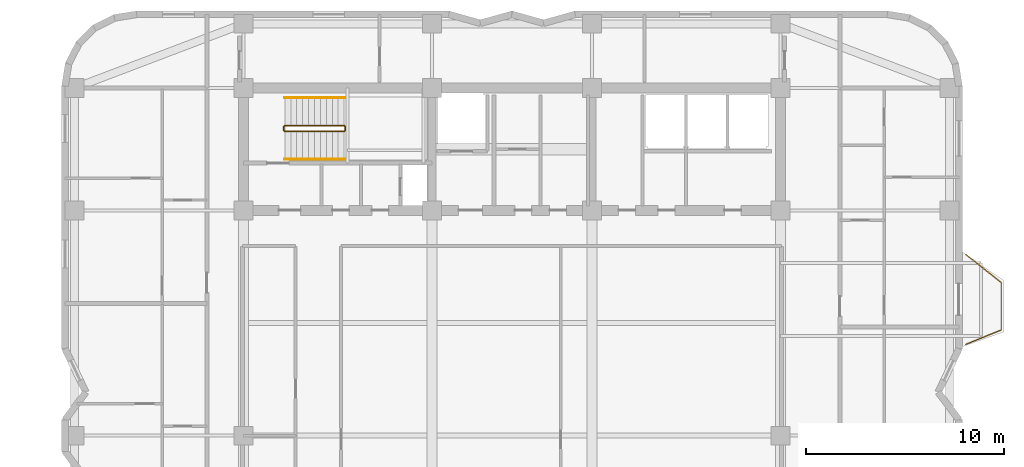
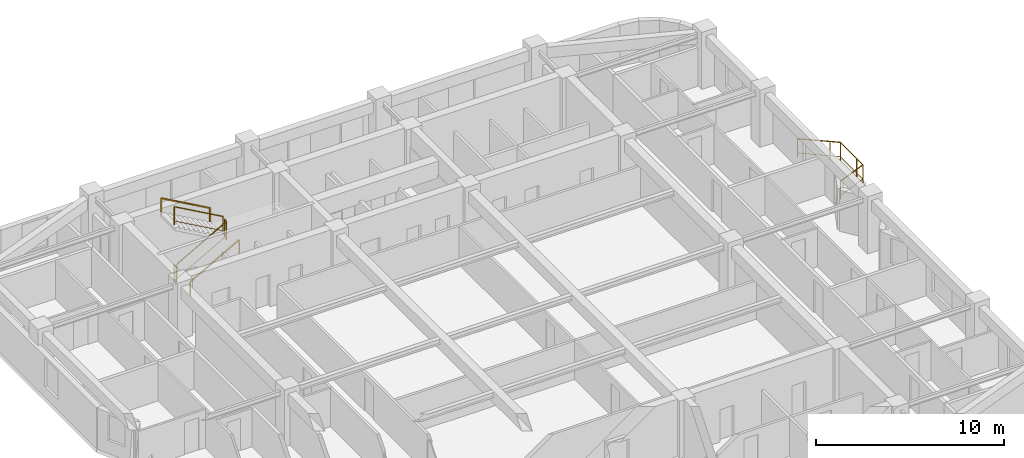
# One storey, part 9 of 9: 7 railings.
"""IFC4 building model written with IfcOpenShell, lengths in metres."""

from ifc_helpers import new_model, si_unit, direction, frame, origin, origin_2d, place, context, subcontext, project, spatial, rectangle, extrude, material, type_object, element, save


model = new_model("IFC4")

# Units and contexts
model_context = context("Model", 3, precision=1e-05, world=origin(), true_north=direction((0.0, 1.0)))
body_context = subcontext(model_context, "Body", "Model", "MODEL_VIEW")
ifc_project = project(units=[si_unit("LENGTHUNIT", "METRE"), si_unit("AREAUNIT", "SQUARE_METRE"), si_unit("VOLUMEUNIT", "CUBIC_METRE"), si_unit("PLANEANGLEUNIT", "RADIAN"), si_unit("MASSUNIT", "GRAM", prefix="KILO")], contexts=[model_context])

# Site, building, storey
site_placement = place(None, origin())
site = spatial("IfcSite", under=ifc_project, at=site_placement, CompositionType="ELEMENT")
building_placement = place(site_placement, origin())
building = spatial("IfcBuilding", under=site, at=building_placement, Name="Svetorya Sky Lyceum", CompositionType="ELEMENT")
storey_placement = place(building_placement, frame((0.0, 0.0, 192.199951171875)))
storey = spatial("IfcBuildingStorey", under=building, at=storey_placement, Name="L48", CompositionType="ELEMENT", Elevation=192.199951171875)

# Railings
ifc_material_1 = material(Name="Laminated safety glass and stainless AISI 316", Category="glass")
railing_type_1 = type_object("IfcRailingType", Name="RL-BAL-1200", PredefinedType="BALUSTRADE", material=ifc_material_1)
railing_1_placement = place(storey_placement, frame((62.169921875, 37.3798828125, 0.0)))
element("IfcRailing", 1, at=railing_1_placement, inside=storey, type_object=railing_type_1, Name="L48 Balcony Balustrade BAL-E1", PredefinedType="BALUSTRADE", context=body_context, shape_type="SweptSolid", body=[
    extrude(rectangle(XDim=0.048095703125, YDim=0.048095703125, at=origin_2d()), frame((0.0, 0.0, 1.17578125), z_axis=(0.783008919264, -0.622010476079, 0.0), x_axis=(0.622010476079, 0.783008919264, 0.0)), (0.0, 0.0, 1.0), 2.298828125),
    extrude(rectangle(XDim=0.02392578125, YDim=0.02392578125, at=origin_2d()), frame((0.0, 0.0, 0.25), z_axis=(0.783008919264, -0.622010476079, 0.0), x_axis=(0.622010476079, 0.783008919264, 0.0)), (0.0, 0.0, 1.0), 2.298828125),
    extrude(rectangle(XDim=0.048095703125, YDim=0.048095703125, at=origin_2d()), frame((1.800048828125, -1.429931640625, 1.17578125), z_axis=(0.0, -1.0, 0.0), x_axis=(1.0, 0.0, 0.0)), (0.0, 0.0, 1.0), 2.39990234375),
    extrude(rectangle(XDim=0.02392578125, YDim=0.02392578125, at=origin_2d()), frame((1.800048828125, -1.429931640625, 0.25), z_axis=(0.0, -1.0, 0.0), x_axis=(1.0, 0.0, 0.0)), (0.0, 0.0, 1.0), 2.39990234375),
    extrude(rectangle(XDim=0.048095703125, YDim=0.048095703125, at=origin_2d()), frame((1.800048828125, -3.829833984375, 1.17578125), z_axis=(-0.926697865975, -0.375807218129, 0.0), x_axis=(0.375807218129, -0.926697865975, 0.0)), (0.0, 0.0, 1.0), 1.9423828125),
    extrude(rectangle(XDim=0.02392578125, YDim=0.02392578125, at=origin_2d()), frame((1.800048828125, -3.829833984375, 0.25), z_axis=(-0.926697865975, -0.375807218129, 0.0), x_axis=(0.375807218129, -0.926697865975, 0.0)), (0.0, 0.0, 1.0), 1.9423828125),
    extrude(rectangle(XDim=0.0419921875, YDim=0.0419921875, at=origin_2d()), origin(), (0.0, 0.0, 1.0), 1.15185546875),
    extrude(rectangle(XDim=0.0419921875, YDim=0.0419921875, at=origin_2d()), frame((1.370361328125, -1.088623046875, 0.0)), (0.0, 0.0, 1.0), 1.15185546875),
    extrude(rectangle(XDim=0.0419921875, YDim=0.0419921875, at=origin_2d()), frame((1.800048828125, -1.429931640625, 0.0)), (0.0, 0.0, 1.0), 1.15185546875),
    extrude(rectangle(XDim=0.0419921875, YDim=0.0419921875, at=origin_2d()), frame((1.800048828125, -3.179931640625, 0.0)), (0.0, 0.0, 1.0), 1.15185546875),
    extrude(rectangle(XDim=0.0419921875, YDim=0.0419921875, at=origin_2d()), frame((1.800048828125, -3.829833984375, 0.0)), (0.0, 0.0, 1.0), 1.15185546875),
    extrude(rectangle(XDim=0.0419921875, YDim=0.0419921875, at=origin_2d()), frame((0.0, -4.559814453125, 0.0)), (0.0, 0.0, 1.0), 1.15185546875),
])
ifc_material_2 = material(Name="Painted galvanized stair well guard")
railing_type_2 = type_object("IfcRailingType", Name="RL-STR-GUARD-1200", PredefinedType="GUARDRAIL", material=ifc_material_2)
railing_2_placement = place(storey_placement, frame((27.699951171875, 43.60009765625, 0.168212890625)))
element("IfcRailing", 2, at=railing_2_placement, inside=storey, type_object=railing_type_2, Name="L48 ST-N stair guard 1", PredefinedType="GUARDRAIL", context=body_context, shape_type="SweptSolid", body=[
    extrude(rectangle(XDim=0.048095703125, YDim=0.048095703125, at=origin_2d()), frame((0.0, 0.0, 1.17578125), z_axis=(0.872272294576, 0.0, 0.489020494575), x_axis=(0.0, 1.0, 0.0)), (0.0, 0.0, 1.0), 3.439208984375),
    extrude(rectangle(XDim=0.02392578125, YDim=0.02392578125, at=origin_2d()), frame((0.0, 0.0, 0.25), z_axis=(0.872272294576, 0.0, 0.489020494575), x_axis=(0.0, 1.0, 0.0)), (0.0, 0.0, 1.0), 3.439208984375),
    extrude(rectangle(XDim=0.0419921875, YDim=0.0419921875, at=origin_2d()), origin(), (0.0, 0.0, 1.0), 1.15185546875),
    extrude(rectangle(XDim=0.0419921875, YDim=0.0419921875, at=origin_2d()), frame((3.0, 0.0, 1.681884765625)), (0.0, 0.0, 1.0), 1.15185546875),
])
railing_3_placement = place(storey_placement, frame((30.75, 43.64990234375, 1.85009765625)))
element("IfcRailing", 3, at=railing_3_placement, inside=storey, type_object=railing_type_2, Name="L48 ST-N stair guard 2", PredefinedType="GUARDRAIL", context=body_context, shape_type="SweptSolid", body=[
    extrude(rectangle(XDim=0.048095703125, YDim=0.048095703125, at=origin_2d()), frame((0.0, 0.0, 1.17578125), z_axis=(0.0, 1.0, 0.0), x_axis=(-1.0, 0.0, 0.0)), (0.0, 0.0, 1.0), 0.2001953125),
    extrude(rectangle(XDim=0.02392578125, YDim=0.02392578125, at=origin_2d()), frame((0.0, 0.0, 0.25), z_axis=(0.0, 1.0, 0.0), x_axis=(-1.0, 0.0, 0.0)), (0.0, 0.0, 1.0), 0.2001953125),
    extrude(rectangle(XDim=0.0419921875, YDim=0.0419921875, at=origin_2d()), origin(), (0.0, 0.0, 1.0), 1.15185546875),
    extrude(rectangle(XDim=0.0419921875, YDim=0.0419921875, at=origin_2d()), frame((0.0, 0.2001953125, 0.0)), (0.0, 0.0, 1.0), 1.15185546875),
])
railing_4_placement = place(storey_placement, frame((30.699951171875, 43.89990234375, 2.018310546875)))
element("IfcRailing", 4, at=railing_4_placement, inside=storey, type_object=railing_type_2, Name="L48 ST-N stair guard 3", PredefinedType="GUARDRAIL", context=body_context, shape_type="SweptSolid", body=[
    extrude(rectangle(XDim=0.048095703125, YDim=0.048095703125, at=origin_2d()), frame((0.0, 0.0, 1.17578125), z_axis=(-0.872302573547, 0.0, 0.488966481656), x_axis=(0.0, -1.0, 0.0)), (0.0, 0.0, 1.0), 3.439208984375),
    extrude(rectangle(XDim=0.02392578125, YDim=0.02392578125, at=origin_2d()), frame((0.0, 0.0, 0.25), z_axis=(-0.872302573547, 0.0, 0.488966481656), x_axis=(0.0, -1.0, 0.0)), (0.0, 0.0, 1.0), 3.439208984375),
    extrude(rectangle(XDim=0.0419921875, YDim=0.0419921875, at=origin_2d()), origin(), (0.0, 0.0, 1.0), 1.15185546875),
    extrude(rectangle(XDim=0.0419921875, YDim=0.0419921875, at=origin_2d()), frame((-3.0, 0.0, 1.681640625)), (0.0, 0.0, 1.0), 1.15185546875),
])
railing_5_placement = place(storey_placement, frame((27.64990234375, 43.64990234375, 0.0)))
element("IfcRailing", 5, at=railing_5_placement, inside=storey, type_object=railing_type_2, Name="L48 ST-N stair guard 4", PredefinedType="GUARDRAIL", context=body_context, shape_type="SweptSolid", body=[
    extrude(rectangle(XDim=0.048095703125, YDim=0.048095703125, at=origin_2d()), frame((0.0, 0.0, 1.17578125), z_axis=(0.0, 1.0, 0.0), x_axis=(-1.0, 0.0, 0.0)), (0.0, 0.0, 1.0), 0.2001953125),
    extrude(rectangle(XDim=0.02392578125, YDim=0.02392578125, at=origin_2d()), frame((0.0, 0.0, 0.25), z_axis=(0.0, 1.0, 0.0), x_axis=(-1.0, 0.0, 0.0)), (0.0, 0.0, 1.0), 0.2001953125),
    extrude(rectangle(XDim=0.0419921875, YDim=0.0419921875, at=origin_2d()), origin(), (0.0, 0.0, 1.0), 1.15185546875),
    extrude(rectangle(XDim=0.0419921875, YDim=0.0419921875, at=origin_2d()), frame((0.0, 0.2001953125, 0.0)), (0.0, 0.0, 1.0), 1.15185546875),
])
ifc_material_3 = material(Name="Brushed stainless AISI 304 stair handrail")
railing_type_3 = type_object("IfcRailingType", Name="RL-STR-HAND-920", PredefinedType="HANDRAIL", material=ifc_material_3)
railing_6_placement = place(storey_placement, frame((27.699951171875, 42.199951171875, 0.168212890625)))
element("IfcRailing", 6, at=railing_6_placement, inside=storey, type_object=railing_type_3, Name="L48 ST-N stair handrail 1", PredefinedType="HANDRAIL", context=body_context, shape_type="SweptSolid", body=[
    extrude(rectangle(XDim=0.048095703125, YDim=0.048095703125, at=origin_2d()), frame((0.0, 0.0, 0.8759765625), z_axis=(0.872272294576, 0.0, 0.489020494575), x_axis=(0.0, 1.0, 0.0)), (0.0, 0.0, 1.0), 3.439208984375),
    extrude(rectangle(XDim=0.0419921875, YDim=0.0419921875, at=origin_2d()), origin(), (0.0, 0.0, 1.0), 0.851806640625),
    extrude(rectangle(XDim=0.0419921875, YDim=0.0419921875, at=origin_2d()), frame((3.0, 0.0, 1.681884765625)), (0.0, 0.0, 1.0), 0.851806640625),
])
railing_7_placement = place(storey_placement, frame((30.699951171875, 45.300048828125, 2.018310546875)))
element("IfcRailing", 7, at=railing_7_placement, inside=storey, type_object=railing_type_3, Name="L48 ST-N stair handrail 2", PredefinedType="HANDRAIL", context=body_context, shape_type="SweptSolid", body=[
    extrude(rectangle(XDim=0.048095703125, YDim=0.048095703125, at=origin_2d()), frame((0.0, 0.0, 0.8759765625), z_axis=(-0.872302573547, 0.0, 0.488966481656), x_axis=(0.0, -1.0, 0.0)), (0.0, 0.0, 1.0), 3.439208984375),
    extrude(rectangle(XDim=0.0419921875, YDim=0.0419921875, at=origin_2d()), origin(), (0.0, 0.0, 1.0), 0.851806640625),
    extrude(rectangle(XDim=0.0419921875, YDim=0.0419921875, at=origin_2d()), frame((-3.0, 0.0, 1.681640625)), (0.0, 0.0, 1.0), 0.851806640625),
])

save(model, "model.ifc")
